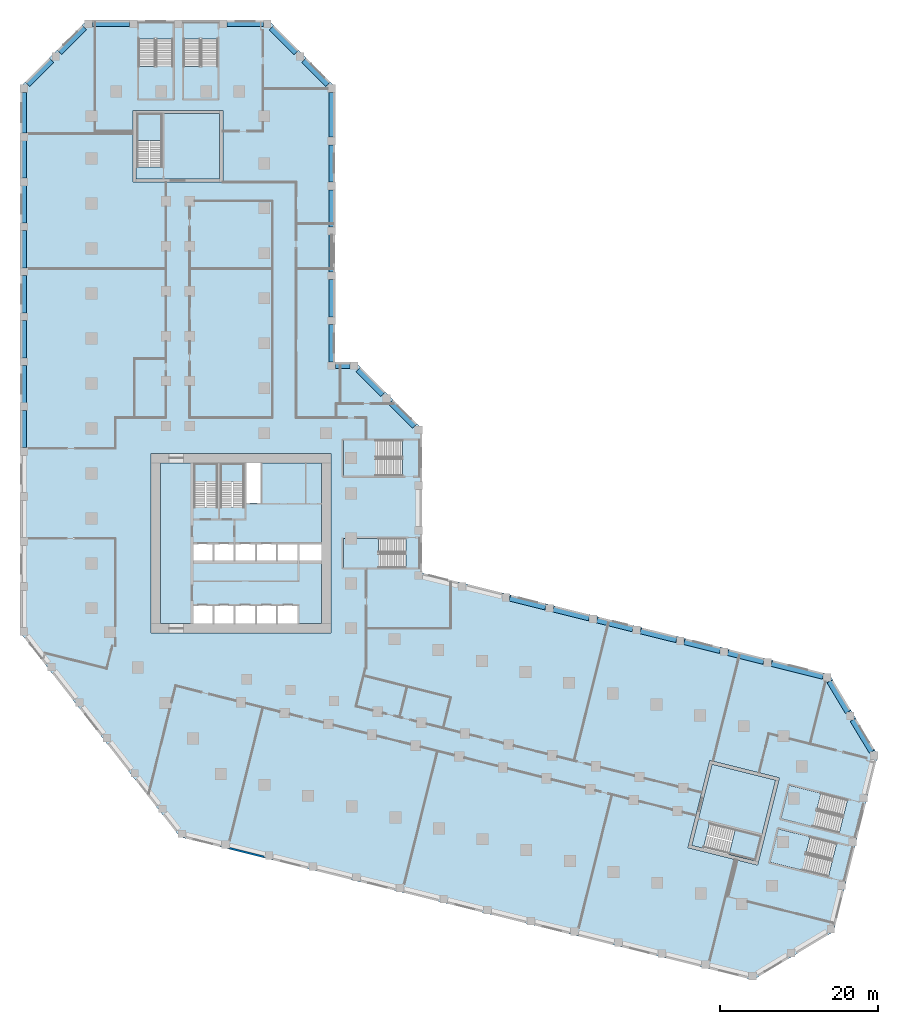
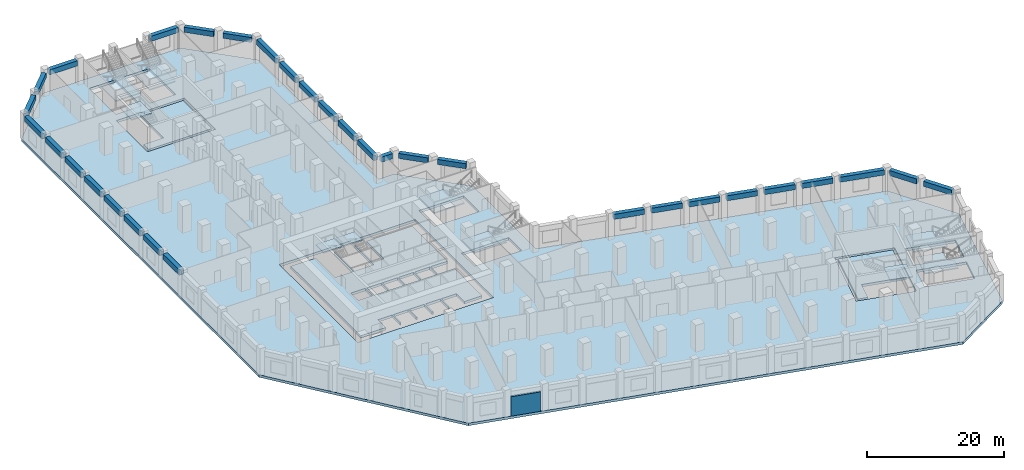
# One storey, part 2 of 15: 32 beams, 14 slabs, 1 wall, 10 elements without a shape of their own.
"""IFC4 building model written with IfcOpenShell, lengths in metres."""

from ifc_helpers import new_model, si_unit, direction, frame, frame_2d, origin, origin_2d, place, context, subcontext, project, spatial, polyline, rectangle, outline, extrude, material, layer, layer_set, material_profile, profile_set, type_object, element, aggregate, save


model = new_model("IFC4")

# Units and contexts
model_context = context("Model", 3, precision=1e-05, world=origin(), true_north=direction((0.0, 1.0)))
body_context = subcontext(model_context, "Body", "Model", "MODEL_VIEW")
ifc_project = project(units=[si_unit("LENGTHUNIT", "METRE"), si_unit("AREAUNIT", "SQUARE_METRE"), si_unit("VOLUMEUNIT", "CUBIC_METRE"), si_unit("PLANEANGLEUNIT", "RADIAN"), si_unit("MASSUNIT", "GRAM", prefix="KILO")], contexts=[model_context])

# Site, building, storey
site_placement = place(None, origin())
site = spatial("IfcSite", under=ifc_project, at=site_placement, CompositionType="ELEMENT")
building_placement = place(site_placement, origin())
building = spatial("IfcBuilding", under=site, at=building_placement, Name="Meshkara Civic Tower", CompositionType="ELEMENT")
storey_placement = place(building_placement, frame((0.0, 0.0, 23.39990234375)))
storey = spatial("IfcBuildingStorey", under=building, at=storey_placement, Name="L04", CompositionType="ELEMENT", Elevation=23.39990234375)

# Beams
ifc_material_1 = material(Name="Concrete C60", Category="concrete")
ifc_material_profile = material_profile(ifc_material_1, rectangle(XDim=0.699951171875, YDim=0.89990234375, at=origin_2d()))
ifc_profile_set = profile_set([ifc_material_profile], Name="Concrete C60")
beam_type = type_object("IfcBeamType", Name="Spandrel beam RC 700x900 C60", PredefinedType="BEAM", material=ifc_profile_set)
beam_1_placement = place(storey_placement, frame((30.403564453125, 83.652587890625, 3.900146484375), z_axis=(-0.707135193312, 0.707078367919, 0.0), x_axis=(-0.707078367919, -0.707135193312, 0.0)))
element("IfcBeam", 1, at=beam_1_placement, inside=storey, type_object=beam_type, Name="Spandrel beam PD12-E-PD13-01", PredefinedType="BEAM", context=body_context, shape_type="SweptSolid", body=[
    extrude(rectangle(XDim=0.699951171875, YDim=0.89990234375, at=origin_2d()), origin(), (0.0, 0.0, 1.0), 4.29638671875),
])
beam_2_placement = place(storey_placement, frame((26.37255859375, 87.68359375, 3.900146484375), z_axis=(-0.707134269933, 0.707079291371, 0.0), x_axis=(-0.707079291371, -0.707134269933, 0.0)))
element("IfcBeam", 2, at=beam_2_placement, inside=storey, type_object=beam_type, Name="Spandrel beam PD00-E-PD13-01", PredefinedType="BEAM", context=body_context, shape_type="SweptSolid", body=[
    extrude(rectangle(XDim=0.699951171875, YDim=0.89990234375, at=origin_2d()), origin(), (0.0, 0.0, 1.0), 4.440673828125),
])
beam_3_placement = place(storey_placement, frame((22.240966796875, 91.320068359375, 3.900146484375), z_axis=(-1.0, 0.0, 0.0), x_axis=(0.0, -1.0, 0.0)))
element("IfcBeam", 3, at=beam_3_placement, inside=storey, type_object=beam_type, Name="Spandrel beam PD00-03-PD00-E", PredefinedType="BEAM", context=body_context, shape_type="SweptSolid", body=[
    extrude(rectangle(XDim=0.699951171875, YDim=0.89990234375, at=origin_2d()), origin(), (0.0, 0.0, 1.0), 4.58203125),
])
beam_4_placement = place(storey_placement, frame((5.26904296875, 91.320068359375, 3.900146484375), z_axis=(-1.0, 0.0, 0.0), x_axis=(0.0, -1.0, 0.0)))
element("IfcBeam", 4, at=beam_4_placement, inside=storey, type_object=beam_type, Name="Spandrel beam PD00-00-PD00-01", PredefinedType="BEAM", context=body_context, shape_type="SweptSolid", body=[
    extrude(rectangle(XDim=0.699951171875, YDim=0.89990234375, at=origin_2d()), origin(), (0.0, 0.0, 1.0), 4.7099609375),
])
beam_5_placement = place(storey_placement, frame((-0.4326171875, 90.823486328125, 3.900146484375), z_axis=(-0.707106781187, -0.707106781187, 0.0), x_axis=(0.707106781187, -0.707106781187, 0.0)))
element("IfcBeam", 5, at=beam_5_placement, inside=storey, type_object=beam_type, Name="Spandrel beam PD00-00-PD01-01", PredefinedType="BEAM", context=body_context, shape_type="SweptSolid", body=[
    extrude(rectangle(XDim=0.699951171875, YDim=0.89990234375, at=origin_2d()), origin(), (0.0, 0.0, 1.0), 4.4404296875),
])
beam_6_placement = place(storey_placement, frame((-4.5654296875, 86.6904296875, 3.900146484375), z_axis=(-0.707135193312, -0.707078367919, 0.0), x_axis=(0.707078367919, -0.707135193312, 0.0)))
element("IfcBeam", 6, at=beam_6_placement, inside=storey, type_object=beam_type, Name="Spandrel beam PD01-00-PD01-01", PredefinedType="BEAM", context=body_context, shape_type="SweptSolid", body=[
    extrude(rectangle(XDim=0.699951171875, YDim=0.89990234375, at=origin_2d()), origin(), (0.0, 0.0, 1.0), 4.29638671875),
])
beam_7_placement = place(storey_placement, frame((-8.10009765625, 82.660888671875, 3.900146484375), z_axis=(0.0, -1.0, 0.0), x_axis=(1.0, 0.0, 0.0)))
element("IfcBeam", 7, at=beam_7_placement, inside=storey, type_object=beam_type, Name="Spandrel beam PD01-00-PD02-11", PredefinedType="BEAM", context=body_context, shape_type="SweptSolid", body=[
    extrude(rectangle(XDim=0.699951171875, YDim=0.89990234375, at=origin_2d()), origin(), (0.0, 0.0, 1.0), 5.15478515625),
])
beam_8_placement = place(storey_placement, frame((-8.10009765625, 76.51611328125, 3.900146484375), z_axis=(0.0, -1.0, 0.0), x_axis=(1.0, 0.0, 0.0)))
element("IfcBeam", 8, at=beam_8_placement, inside=storey, type_object=beam_type, Name="Spandrel beam PD02-10-PD02-11", PredefinedType="BEAM", context=body_context, shape_type="SweptSolid", body=[
    extrude(rectangle(XDim=0.699951171875, YDim=0.89990234375, at=origin_2d()), origin(), (0.0, 0.0, 1.0), 4.710205078125),
])
for number, where, z_axis, x_axis, name in (
    (9, (-8.10009765625, 70.81591796875, 3.900146484375), (0.0, -1.0, 0.0), (1.0, 0.0, 0.0), "Spandrel beam PD02-09-PD02-10"),
    (10, (-8.10009765625, 65.115966796875, 3.900146484375), (0.0, -1.0, 0.0), (1.0, 0.0, 0.0), "Spandrel beam PD02-08-PD02-09"),
    (11, (-8.10009765625, 59.416015625, 3.900146484375), (0.0, -1.0, 0.0), (1.0, 0.0, 0.0), "Spandrel beam PD02-07-PD02-08"),
    (12, (-8.10009765625, 53.716064453125, 3.900146484375), (0.0, -1.0, 0.0), (1.0, 0.0, 0.0), "Spandrel beam PD02-06-PD02-07"),
):
    element("IfcBeam", number, at=place(storey_placement, frame(where, z_axis=z_axis, x_axis=x_axis)), inside=storey, type_object=beam_type, Name=name, PredefinedType="BEAM", context=body_context, shape_type="SweptSolid", body=[
        extrude(rectangle(XDim=0.699951171875, YDim=0.89990234375, at=origin_2d()), origin(), (0.0, 0.0, 1.0), 4.7099609375),
    ])
beam_9_placement = place(storey_placement, frame((-8.10009765625, 48.01611328125, 3.900146484375), z_axis=(0.0, -1.0, 0.0), x_axis=(1.0, 0.0, 0.0)))
element("IfcBeam", 13, at=beam_9_placement, inside=storey, type_object=beam_type, Name="Spandrel beam PD02-05-PD02-06", PredefinedType="BEAM", context=body_context, shape_type="SweptSolid", body=[
    extrude(rectangle(XDim=0.699951171875, YDim=0.89990234375, at=origin_2d()), origin(), (0.0, 0.0, 1.0), 4.710205078125),
])
beam_10_placement = place(storey_placement, frame((-8.10009765625, 42.31591796875, 3.900146484375), z_axis=(0.0, -1.0, 0.0), x_axis=(1.0, 0.0, 0.0)))
element("IfcBeam", 14, at=beam_10_placement, inside=storey, type_object=beam_type, Name="Spandrel beam PD02-04-PD02-05", PredefinedType="BEAM", context=body_context, shape_type="SweptSolid", body=[
    extrude(rectangle(XDim=0.699951171875, YDim=0.89990234375, at=origin_2d()), origin(), (0.0, 0.0, 1.0), 4.7099609375),
])
beam_11_placement = place(storey_placement, frame((99.340087890625, -0.915283203125, 3.900146484375), z_axis=(-0.515169292752, 0.857088443398, 0.0), x_axis=(-0.857088443398, -0.515169292752, 0.0)))
element("IfcBeam", 15, at=beam_11_placement, inside=storey, type_object=beam_type, Name="Spandrel beam PD06-E-PD07-01", PredefinedType="BEAM", context=body_context, shape_type="SweptSolid", body=[
    extrude(rectangle(XDim=0.699951171875, YDim=0.89990234375, at=origin_2d()), origin(), (0.0, 0.0, 1.0), 4.689697265625),
])
beam_12_placement = place(storey_placement, frame((96.328125, 4.095703125, 3.900146484375), z_axis=(-0.515175277931, 0.857084845863, 0.0), x_axis=(-0.857084845863, -0.515175277931, 0.0)))
element("IfcBeam", 16, at=beam_12_placement, inside=storey, type_object=beam_type, Name="Spandrel beam PD07-00-PD07-01", PredefinedType="BEAM", context=body_context, shape_type="SweptSolid", body=[
    extrude(rectangle(XDim=0.699951171875, YDim=0.89990234375, at=origin_2d()), origin(), (0.0, 0.0, 1.0), 4.542724609375),
])
beam_13_placement = place(storey_placement, frame((93.19482421875, 8.6083984375, 3.900146484375), z_axis=(-0.97029537184, 0.24192331716, 0.0), x_axis=(-0.24192331716, -0.97029537184, 0.0)))
element("IfcBeam", 17, at=beam_13_placement, inside=storey, type_object=beam_type, Name="Spandrel beam PD07-00-PD08-08", PredefinedType="BEAM", context=body_context, shape_type="SweptSolid", body=[
    extrude(rectangle(XDim=0.699951171875, YDim=0.89990234375, at=origin_2d()), origin(), (0.0, 0.0, 1.0), 6.75537109375),
])
beam_14_placement = place(storey_placement, frame((85.64990234375, 10.489501953125, 3.900146484375), z_axis=(-0.970286590806, 0.241958533023, 0.0), x_axis=(-0.241958533023, -0.970286590806, 0.0)))
element("IfcBeam", 18, at=beam_14_placement, inside=storey, type_object=beam_type, Name="Spandrel beam PD08-07-PD08-08", PredefinedType="BEAM", context=body_context, shape_type="SweptSolid", body=[
    extrude(rectangle(XDim=0.699951171875, YDim=0.89990234375, at=origin_2d()), origin(), (0.0, 0.0, 1.0), 4.6787109375),
])
beam_15_placement = place(storey_placement, frame((80.119873046875, 11.868408203125, 3.900146484375), z_axis=(-0.970298806378, 0.241909541651, 0.0), x_axis=(-0.241909541651, -0.970298806378, 0.0)))
element("IfcBeam", 19, at=beam_15_placement, inside=storey, type_object=beam_type, Name="Spandrel beam PD08-06-PD08-07", PredefinedType="BEAM", context=body_context, shape_type="SweptSolid", body=[
    extrude(rectangle(XDim=0.699951171875, YDim=0.89990234375, at=origin_2d()), origin(), (0.0, 0.0, 1.0), 4.6796875),
])
beam_16_placement = place(storey_placement, frame((74.5888671875, 13.24755859375, 3.900146484375), z_axis=(-0.970249807203, 0.242105992539, 0.0), x_axis=(-0.242105992539, -0.970249807203, 0.0)))
element("IfcBeam", 20, at=beam_16_placement, inside=storey, type_object=beam_type, Name="Spandrel beam PD08-05-PD08-06", PredefinedType="BEAM", context=body_context, shape_type="SweptSolid", body=[
    extrude(rectangle(XDim=0.699951171875, YDim=0.89990234375, at=origin_2d()), origin(), (0.0, 0.0, 1.0), 4.679931640625),
])
beam_17_placement = place(storey_placement, frame((69.057861328125, 14.62744140625, 3.900146484375), z_axis=(-0.970286590806, 0.241958533023, 0.0), x_axis=(-0.241958533023, -0.970286590806, 0.0)))
element("IfcBeam", 21, at=beam_17_placement, inside=storey, type_object=beam_type, Name="Spandrel beam PD08-04-PD08-05", PredefinedType="BEAM", context=body_context, shape_type="SweptSolid", body=[
    extrude(rectangle(XDim=0.699951171875, YDim=0.89990234375, at=origin_2d()), origin(), (0.0, 0.0, 1.0), 4.6787109375),
])
for number, where, z_axis, x_axis, name in (
    (22, (63.52783203125, 16.006591796875, 3.900146484375), (-0.970311050729, 0.24186042428, 0.0), (-0.24186042428, -0.970311050729, 0.0), "Spandrel beam PD08-03-PD08-04"),
    (23, (57.996826171875, 17.385498046875, 3.900146484375), (-0.970298806378, 0.241909541651, 0.0), (-0.241909541651, -0.970298806378, 0.0), "Spandrel beam PD08-02-PD08-03"),
):
    element("IfcBeam", number, at=place(storey_placement, frame(where, z_axis=z_axis, x_axis=x_axis)), inside=storey, type_object=beam_type, Name=name, PredefinedType="BEAM", context=body_context, shape_type="SweptSolid", body=[
        extrude(rectangle(XDim=0.699951171875, YDim=0.89990234375, at=origin_2d()), origin(), (0.0, 0.0, 1.0), 4.6796875),
    ])
beam_18_placement = place(storey_placement, frame((41.403564453125, 40.33251953125, 3.900146484375), z_axis=(-0.707106781187, 0.707106781187, 0.0), x_axis=(-0.707106781187, -0.707106781187, 0.0)))
element("IfcBeam", 24, at=beam_18_placement, inside=storey, type_object=beam_type, Name="Spandrel beam PD09-E-PD10-01", PredefinedType="BEAM", context=body_context, shape_type="SweptSolid", body=[
    extrude(rectangle(XDim=0.699951171875, YDim=0.89990234375, at=origin_2d()), origin(), (0.0, 0.0, 1.0), 4.29638671875),
])
beam_19_placement = place(storey_placement, frame((37.37255859375, 44.363525390625, 3.900146484375), z_axis=(-0.707134269933, 0.707079291371, 0.0), x_axis=(-0.707079291371, -0.707134269933, 0.0)))
element("IfcBeam", 25, at=beam_19_placement, inside=storey, type_object=beam_type, Name="Spandrel beam PD10-01-PD10-E", PredefinedType="BEAM", context=body_context, shape_type="SweptSolid", body=[
    extrude(rectangle(XDim=0.699951171875, YDim=0.89990234375, at=origin_2d()), origin(), (0.0, 0.0, 1.0), 4.440673828125),
])
beam_20_placement = place(storey_placement, frame((33.240966796875, 48.0, 3.900146484375), z_axis=(-1.0, 0.0, 0.0), x_axis=(0.0, -1.0, 0.0)))
element("IfcBeam", 26, at=beam_20_placement, inside=storey, type_object=beam_type, Name="Spandrel beam PD10-E-PD11-00", PredefinedType="BEAM", context=body_context, shape_type="SweptSolid", body=[
    extrude(rectangle(XDim=0.699951171875, YDim=0.89990234375, at=origin_2d()), origin(), (0.0, 0.0, 1.0), 1.845947265625),
])
for number, where, z_axis, x_axis, name in (
    (27, (30.89990234375, 48.4951171875, 3.900146484375), (0.0, 1.0, 0.0), (-1.0, 0.0, 0.0), "Spandrel beam PD11-00-PD12-01"),
    (28, (30.89990234375, 54.195068359375, 3.900146484375), (0.0, 1.0, 0.0), (-1.0, 0.0, 0.0), "Spandrel beam PD12-01-PD12-02"),
    (29, (30.89990234375, 59.89501953125, 3.900146484375), (0.0, 1.0, 0.0), (-1.0, 0.0, 0.0), "Spandrel beam PD12-02-PD12-03"),
    (30, (30.89990234375, 65.594970703125, 3.900146484375), (0.0, 1.0, 0.0), (-1.0, 0.0, 0.0), "Spandrel beam PD12-03-PD12-04"),
    (31, (30.89990234375, 71.294921875, 3.900146484375), (0.0, 1.0, 0.0), (-1.0, 0.0, 0.0), "Spandrel beam PD12-04-PD12-05"),
):
    element("IfcBeam", number, at=place(storey_placement, frame(where, z_axis=z_axis, x_axis=x_axis)), inside=storey, type_object=beam_type, Name=name, PredefinedType="BEAM", context=body_context, shape_type="SweptSolid", body=[
        extrude(rectangle(XDim=0.699951171875, YDim=0.89990234375, at=origin_2d()), origin(), (0.0, 0.0, 1.0), 4.7099609375),
    ])
beam_21_placement = place(storey_placement, frame((30.89990234375, 76.9951171875, 3.900146484375), z_axis=(0.0, 1.0, 0.0), x_axis=(-1.0, 0.0, 0.0)))
element("IfcBeam", 32, at=beam_21_placement, inside=storey, type_object=beam_type, Name="Spandrel beam PD12-05-PD12-E", PredefinedType="BEAM", context=body_context, shape_type="SweptSolid", body=[
    extrude(rectangle(XDim=0.699951171875, YDim=0.89990234375, at=origin_2d()), origin(), (0.0, 0.0, 1.0), 5.665771484375),
])

# Slabs
ifc_material_2 = material(Name="Concrete C40/50", Category="concrete")
ifc_layer_1 = layer(ifc_material_2, 0.449951171875)
ifc_layer_set_1 = layer_set([ifc_layer_1], Name="Core floor slab 450 C40/50")
slab_type_1 = type_object("IfcSlabType", Name="Core floor slab 450 C40/50", PredefinedType="FLOOR", material=ifc_layer_set_1)
slab_1_placement = place(storey_placement, frame((0.0, 0.0, -0.449951171875)))
element("IfcSlab", 33, at=slab_1_placement, inside=storey, type_object=slab_type_1, Name="Core floor K", PredefinedType="FLOOR", context=body_context, shape_type="SweptSolid", body=[
    extrude(outline(polyline([(9.199951171875, 35.699951171875), (13.39990234375, 35.699951171875), (13.39990234375, 30.00146484375), (16.5, 30.00146484375), (16.5, 35.699951171875), (16.699951171875, 35.699951171875), (16.699951171875, 30.00146484375), (19.89990234375, 30.00146484375), (19.89990234375, 35.699951171875), (20.10009765625, 35.699951171875), (20.10009765625, 30.574951171875), (21.925048828125, 30.574951171875), (21.925048828125, 35.699951171875), (29.60009765625, 35.699951171875), (29.60009765625, 25.39990234375), (26.800048828125, 25.39990234375), (26.800048828125, 23.300048828125), (29.60009765625, 23.300048828125), (29.60009765625, 15.300048828125), (26.60009765625, 15.300048828125), (26.60009765625, 17.60009765625), (24.10009765625, 17.60009765625), (24.10009765625, 15.300048828125), (23.89990234375, 15.300048828125), (23.89990234375, 17.60009765625), (21.39990234375, 17.60009765625), (21.39990234375, 15.300048828125), (21.199951171875, 15.300048828125), (21.199951171875, 17.60009765625), (18.699951171875, 17.60009765625), (18.699951171875, 15.300048828125), (18.5, 15.300048828125), (18.5, 17.60009765625), (16.0, 17.60009765625), (16.0, 15.300048828125), (15.800048828125, 15.300048828125), (15.800048828125, 17.60009765625), (13.39990234375, 17.60009765625), (13.39990234375, 15.300048828125), (9.199951171875, 15.300048828125), (9.199951171875, 35.699951171875)]), holes=[polyline([(13.39990234375, 25.39990234375), (13.39990234375, 23.300048828125), (15.800048828125, 23.300048828125), (15.800048828125, 25.39990234375), (13.39990234375, 25.39990234375)]), polyline([(18.5, 23.300048828125), (18.5, 25.39990234375), (16.0, 25.39990234375), (16.0, 23.300048828125), (18.5, 23.300048828125)]), polyline([(18.699951171875, 25.39990234375), (18.699951171875, 23.300048828125), (21.199951171875, 23.300048828125), (21.199951171875, 25.39990234375), (18.699951171875, 25.39990234375)]), polyline([(23.89990234375, 23.300048828125), (23.89990234375, 25.39990234375), (21.39990234375, 25.39990234375), (21.39990234375, 23.300048828125), (23.89990234375, 23.300048828125)]), polyline([(26.60009765625, 23.300048828125), (26.60009765625, 25.39990234375), (24.10009765625, 25.39990234375), (24.10009765625, 23.300048828125), (26.60009765625, 23.300048828125)])]), origin(), (0.0, 0.0, 1.0), 0.449951171875),
])
slab_2_placement = place(storey_placement, frame((0.0, 0.0, -0.449951171875)))
element("IfcSlab", 34, at=slab_2_placement, inside=storey, type_object=slab_type_1, Name="Core floor EA", PredefinedType="FLOOR", context=body_context, shape_type="SweptSolid", body=[
    extrude(outline(polyline([(16.699951171875, 71.669921875), (16.699951171875, 79.969970703125), (9.5, 79.969970703125), (9.5, 73.17138671875), (6.10009765625, 73.17138671875), (6.10009765625, 71.669921875), (16.699951171875, 71.669921875)])), origin(), (0.0, 0.0, 1.0), 0.449951171875),
])
slab_3_placement = place(storey_placement, frame((0.0, 0.0, -0.449951171875)))
element("IfcSlab", 35, at=slab_3_placement, inside=storey, type_object=slab_type_1, Name="Core floor EB", PredefinedType="FLOOR", context=body_context, shape_type="SweptSolid", body=[
    extrude(outline(polyline([(79.11181640625, -2.513671875), (87.165283203125, -4.521484375), (85.423583984375, -11.507568359375), (78.826904296875, -9.863037109375), (78.00439453125, -13.161865234375), (76.547607421875, -12.798583984375), (79.11181640625, -2.513671875)])), origin(), (0.0, 0.0, 1.0), 0.449951171875),
])

# Stair, slab
ifc_material_3 = material(Name="Precast concrete C40/50", Category="concrete")
stair_type_1 = type_object("IfcStairType", Name="Exit stair half-turn 26 risers precast", PredefinedType="HALF_TURN_STAIR", material=ifc_material_3)
stair_1_placement = place(storey_placement, origin())
stair_1 = element("IfcStair", 36, at=stair_1_placement, inside=storey, type_object=stair_type_1, Name="L04 exit stair 1", PredefinedType="HALF_TURN_STAIR")
ifc_material_4 = material(Name="Precast concrete C40/50", Category="concrete")
ifc_layer_2 = layer(ifc_material_4, 0.199951171875)
ifc_layer_set_2 = layer_set([ifc_layer_2], Name="Exit stair landing 200")
slab_type_2 = type_object("IfcSlabType", Name="Exit stair landing 200", PredefinedType="LANDING", material=ifc_layer_set_2)
slab_4_placement = place(storey_placement, frame((0.0, 0.0, 2.2001953125)))
slab_4 = element("IfcSlab", 37, at=slab_4_placement, type_object=slab_type_2, Name="ST1 landing 1", PredefinedType="LANDING", context=body_context, shape_type="SweptSolid", body=[
    extrude(outline(polyline([(16.5, 33.3583984375), (16.5, 35.699951171875), (13.39990234375, 35.699951171875), (13.39990234375, 33.3583984375), (16.5, 33.3583984375)])), origin(), (0.0, 0.0, 1.0), 0.199951171875),
])
aggregate(stair_1, [slab_4])

stair_2_placement = place(storey_placement, origin())
stair_2 = element("IfcStair", 38, at=stair_2_placement, inside=storey, type_object=stair_type_1, Name="L04 exit stair 2", PredefinedType="HALF_TURN_STAIR")
slab_5_placement = place(storey_placement, frame((0.0, 0.0, 2.2001953125)))
slab_5 = element("IfcSlab", 39, at=slab_5_placement, type_object=slab_type_2, Name="ST2 landing 1", PredefinedType="LANDING", context=body_context, shape_type="SweptSolid", body=[
    extrude(outline(polyline([(19.89990234375, 33.3583984375), (19.89990234375, 35.699951171875), (16.699951171875, 35.699951171875), (16.699951171875, 33.3583984375), (19.89990234375, 33.3583984375)])), origin(), (0.0, 0.0, 1.0), 0.199951171875),
])
aggregate(stair_2, [slab_5])

ifc_material_5 = material(Name="Precast concrete C40/50", Category="concrete")
stair_type_2 = type_object("IfcStairType", Name="Exit stair half-turn 26 risers 1500 precast", PredefinedType="HALF_TURN_STAIR", material=ifc_material_5)
stair_3_placement = place(storey_placement, origin())
stair_3 = element("IfcStair", 40, at=stair_3_placement, inside=storey, type_object=stair_type_2, Name="L04 exit stair A from B2", PredefinedType="HALF_TURN_STAIR")
slab_6_placement = place(storey_placement, frame((0.0, 0.0, 2.2001953125)))
slab_6 = element("IfcSlab", 41, at=slab_6_placement, type_object=slab_type_2, Name="ESA1 landing 1", PredefinedType="LANDING", context=body_context, shape_type="SweptSolid", body=[
    extrude(outline(polyline([(9.5, 76.528564453125), (9.5, 79.969970703125), (6.10009765625, 79.969970703125), (6.10009765625, 76.528564453125), (9.5, 76.528564453125)])), origin(), (0.0, 0.0, 1.0), 0.199951171875),
])
aggregate(stair_3, [slab_6])

stair_4_placement = place(storey_placement, origin())
stair_4 = element("IfcStair", 42, at=stair_4_placement, inside=storey, type_object=stair_type_2, Name="L04 exit stair B from B2", PredefinedType="HALF_TURN_STAIR")
slab_7_placement = place(storey_placement, frame((0.0, 0.0, 2.2001953125)))
slab_7 = element("IfcSlab", 43, at=slab_7_placement, type_object=slab_type_2, Name="ESB1 landing 1", PredefinedType="LANDING", context=body_context, shape_type="SweptSolid", body=[
    extrude(outline(polyline([(81.261474609375, -13.974853515625), (84.600830078125, -14.80810546875), (85.424072265625, -11.50830078125), (82.084716796875, -10.675048828125), (81.261474609375, -13.974853515625)])), origin(), (0.0, 0.0, 1.0), 0.199951171875),
])
aggregate(stair_4, [slab_7])

# Slab
ifc_material_6 = material(Name="Concrete C50", Category="concrete")
ifc_layer_3 = layer(ifc_material_6, 0.449951171875)
ifc_layer_set_3 = layer_set([ifc_layer_3], Name="Podium floor slab 450 C50")
slab_type_3 = type_object("IfcSlabType", Name="Podium floor slab 450 C50", PredefinedType="FLOOR", material=ifc_layer_set_3)
slab_8_placement = place(storey_placement, frame((0.0, 0.0, -0.449951171875)))
element("IfcSlab", 44, at=slab_8_placement, inside=storey, type_object=slab_type_3, Name="Podium floor slab L04", PredefinedType="FLOOR", context=body_context, shape_type="SweptSolid", body=[
    extrude(outline(polyline([(33.922119140625, 48.449951171875), (42.35009765625, 40.02197265625), (42.35009765625, 21.7509765625), (93.97998046875, 8.876953125), (100.1201171875, -1.339111328125), (94.544921875, -23.697998046875), (84.327880859375, -29.8369140625), (11.6669921875, -11.720947265625), (-8.550048828125, 14.156005859375), (-8.550048828125, 83.342041015625), (-0.1220703125, 91.77001953125), (22.922119140625, 91.77001953125), (31.35009765625, 83.342041015625), (31.35009765625, 48.449951171875), (33.922119140625, 48.449951171875)]), holes=[polyline([(30.800048828125, 14.10009765625), (30.800048828125, 36.89990234375), (8.0, 36.89990234375), (8.0, 14.10009765625), (30.800048828125, 14.10009765625)]), polyline([(17.10009765625, 80.3701171875), (5.699951171875, 80.3701171875), (5.699951171875, 71.27001953125), (17.10009765625, 71.27001953125), (17.10009765625, 80.3701171875)]), polyline([(10.784912109375, 81.821044921875), (10.784912109375, 89.4189453125), (6.43505859375, 89.4189453125), (6.43505859375, 81.821044921875), (10.784912109375, 81.821044921875)]), polyline([(16.485107421875, 81.821044921875), (16.485107421875, 89.4189453125), (12.135009765625, 89.4189453125), (12.135009765625, 81.821044921875), (16.485107421875, 81.821044921875)]), polyline([(93.85009765625, -16.767578125), (94.90234375, -12.546630859375), (87.530029296875, -10.70849609375), (86.477783203125, -14.929443359375), (93.85009765625, -16.767578125)]), polyline([(78.821044921875, -2.029052734375), (76.06298828125, -13.090087890625), (84.89208984375, -15.2919921875), (87.64990234375, -4.22998046875), (78.821044921875, -2.029052734375)]), polyline([(95.22900390625, -11.236572265625), (96.281494140625, -7.015625), (88.9091796875, -5.177490234375), (87.856689453125, -9.3984375), (95.22900390625, -11.236572265625)]), polyline([(32.40087890625, 22.375), (40.299072265625, 22.375), (40.299072265625, 26.125), (32.40087890625, 26.125), (32.40087890625, 22.375)]), polyline([(32.40087890625, 34.02490234375), (39.89892578125, 34.02490234375), (39.89892578125, 38.574951171875), (32.40087890625, 38.574951171875), (32.40087890625, 34.02490234375)])]), origin(), (0.0, 0.0, 1.0), 0.449951171875),
])

# Stair, slab
ifc_material_7 = material(Name="Precast concrete C40/50", Category="concrete")
stair_type_3 = type_object("IfcStairType", Name="Podium exit stair half-turn 26 risers 2100 wide precast", PredefinedType="HALF_TURN_STAIR", material=ifc_material_7)
stair_5_placement = place(storey_placement, origin())
stair_5 = element("IfcStair", 45, at=stair_5_placement, inside=storey, type_object=stair_type_3, Name="L04 podium exit stair PS1", PredefinedType="HALF_TURN_STAIR")
ifc_material_8 = material(Name="Precast concrete C40/50", Category="concrete")
ifc_layer_4 = layer(ifc_material_8, 0.199951171875)
ifc_layer_set_4 = layer_set([ifc_layer_4], Name="Podium stair landing 200")
slab_type_4 = type_object("IfcSlabType", Name="Podium stair landing 200", PredefinedType="LANDING", material=ifc_layer_set_4)
slab_9_placement = place(storey_placement, frame((0.0, 0.0, 2.2001953125)))
slab_9 = element("IfcSlab", 46, at=slab_9_placement, type_object=slab_type_4, Name="PS1 landing 1", PredefinedType="LANDING", context=body_context, shape_type="SweptSolid", body=[
    extrude(outline(polyline([(10.784912109375, 81.81005859375), (6.43505859375, 81.81005859375), (6.43505859375, 85.949951171875), (8.68505859375, 85.949951171875), (8.68505859375, 86.93994140625), (10.784912109375, 86.93994140625), (10.784912109375, 81.81005859375)])), origin(), (0.0, 0.0, 1.0), 0.199951171875),
])
aggregate(stair_5, [slab_9])

stair_6_placement = place(storey_placement, origin())
stair_6 = element("IfcStair", 47, at=stair_6_placement, inside=storey, type_object=stair_type_3, Name="L04 podium exit stair PS2", PredefinedType="HALF_TURN_STAIR")
slab_10_placement = place(storey_placement, frame((0.0, 0.0, 2.2001953125)))
slab_10 = element("IfcSlab", 48, at=slab_10_placement, type_object=slab_type_4, Name="PS2 landing 1", PredefinedType="LANDING", context=body_context, shape_type="SweptSolid", body=[
    extrude(outline(polyline([(16.485107421875, 81.81005859375), (12.135009765625, 81.81005859375), (12.135009765625, 85.949951171875), (14.385009765625, 85.949951171875), (14.385009765625, 86.93994140625), (16.485107421875, 86.93994140625), (16.485107421875, 81.81005859375)])), origin(), (0.0, 0.0, 1.0), 0.199951171875),
])
aggregate(stair_6, [slab_10])

stair_7_placement = place(storey_placement, origin())
stair_7 = element("IfcStair", 49, at=stair_7_placement, inside=storey, type_object=stair_type_3, Name="L04 podium exit stair PS3", PredefinedType="HALF_TURN_STAIR")
slab_11_placement = place(storey_placement, frame((0.0, 0.0, 2.2001953125)))
slab_11 = element("IfcSlab", 50, at=slab_11_placement, type_object=slab_type_4, Name="PS3 landing 1", PredefinedType="LANDING", context=body_context, shape_type="SweptSolid", body=[
    extrude(outline(polyline([(91.95263671875, -14.130126953125), (91.444580078125, -16.167724609375), (86.467041015625, -14.9267578125), (87.519287109375, -10.705810546875), (91.53662109375, -11.70751953125), (90.9921875, -13.890625), (91.95263671875, -14.130126953125)])), origin(), (0.0, 0.0, 1.0), 0.199951171875),
])
aggregate(stair_7, [slab_11])

stair_8_placement = place(storey_placement, origin())
stair_8 = element("IfcStair", 51, at=stair_8_placement, inside=storey, type_object=stair_type_3, Name="L04 podium exit stair PS4", PredefinedType="HALF_TURN_STAIR")
slab_12_placement = place(storey_placement, frame((0.0, 0.0, 2.2001953125)))
slab_12 = element("IfcSlab", 52, at=slab_12_placement, type_object=slab_type_4, Name="PS4 landing 1", PredefinedType="LANDING", context=body_context, shape_type="SweptSolid", body=[
    extrude(outline(polyline([(93.331787109375, -8.59912109375), (92.82373046875, -10.63671875), (87.84619140625, -9.395751953125), (88.8984375, -5.1748046875), (92.91552734375, -6.176513671875), (92.37109375, -8.359619140625), (93.331787109375, -8.59912109375)])), origin(), (0.0, 0.0, 1.0), 0.199951171875),
])
aggregate(stair_8, [slab_12])

ifc_material_9 = material(Name="Precast concrete C40/50", Category="concrete")
stair_type_4 = type_object("IfcStairType", Name="Podium exit stair half-turn 26 risers 1800 wide precast", PredefinedType="HALF_TURN_STAIR", material=ifc_material_9)
stair_9_placement = place(storey_placement, origin())
stair_9 = element("IfcStair", 53, at=stair_9_placement, inside=storey, type_object=stair_type_4, Name="L04 podium exit stair PS5", PredefinedType="HALF_TURN_STAIR")
slab_13_placement = place(storey_placement, frame((0.0, 0.0, 2.2001953125)))
slab_13 = element("IfcSlab", 54, at=slab_13_placement, type_object=slab_type_4, Name="PS5 landing 1", PredefinedType="LANDING", context=body_context, shape_type="SweptSolid", body=[
    extrude(outline(polyline([(37.820068359375, 24.175048828125), (37.820068359375, 22.375), (32.389892578125, 22.375), (32.389892578125, 26.125), (36.830078125, 26.125), (36.830078125, 24.175048828125), (37.820068359375, 24.175048828125)])), origin(), (0.0, 0.0, 1.0), 0.199951171875),
])
aggregate(stair_9, [slab_13])

ifc_material_10 = material(Name="Precast concrete C40/50", Category="concrete")
stair_type_5 = type_object("IfcStairType", Name="Podium exit stair half-turn 26 risers 2200 wide precast", PredefinedType="HALF_TURN_STAIR", material=ifc_material_10)
stair_10_placement = place(storey_placement, origin())
stair_10 = element("IfcStair", 55, at=stair_10_placement, inside=storey, type_object=stair_type_5, Name="L04 podium exit stair PS6", PredefinedType="HALF_TURN_STAIR")
slab_14_placement = place(storey_placement, frame((0.0, 0.0, 2.2001953125)))
slab_14 = element("IfcSlab", 56, at=slab_14_placement, type_object=slab_type_4, Name="PS6 landing 1", PredefinedType="LANDING", context=body_context, shape_type="SweptSolid", body=[
    extrude(outline(polyline([(37.419921875, 36.22509765625), (37.419921875, 34.02490234375), (32.389892578125, 34.02490234375), (32.389892578125, 38.574951171875), (36.429931640625, 38.574951171875), (36.429931640625, 36.22509765625), (37.419921875, 36.22509765625)])), origin(), (0.0, 0.0, 1.0), 0.199951171875),
])
aggregate(stair_10, [slab_14])

# Wall
ifc_material_11 = material(Name="Stone cladding on insulated backing wall", Category="masonry")
ifc_layer_5 = layer(ifc_material_11, 0.25)
ifc_layer_set_5 = layer_set([ifc_layer_5], Name="PODIUM STONE WALL 250")
wall_type = type_object("IfcWallType", Name="PODIUM STONE WALL 250", PredefinedType="SOLIDWALL", material=ifc_layer_set_5)
wall_placement = place(storey_placement, frame((17.967041015625, -13.1630859375, 0.0), z_axis=(0.0, 0.0, 1.0), x_axis=(0.970315118421, -0.24184410467, 0.0)))
element("IfcWall", 57, at=wall_placement, inside=storey, type_object=wall_type, Name="Podium external wall", PredefinedType="SOLIDWALL", context=body_context, shape_type="SweptSolid", body=[
    extrude(rectangle(XDim=4.486083984375, YDim=0.25, at=frame_2d((2.2431640625, 0.0))), origin(), (0.0, 0.0, 1.0), 3.4501953125),
])

save(model, "model.ifc")
